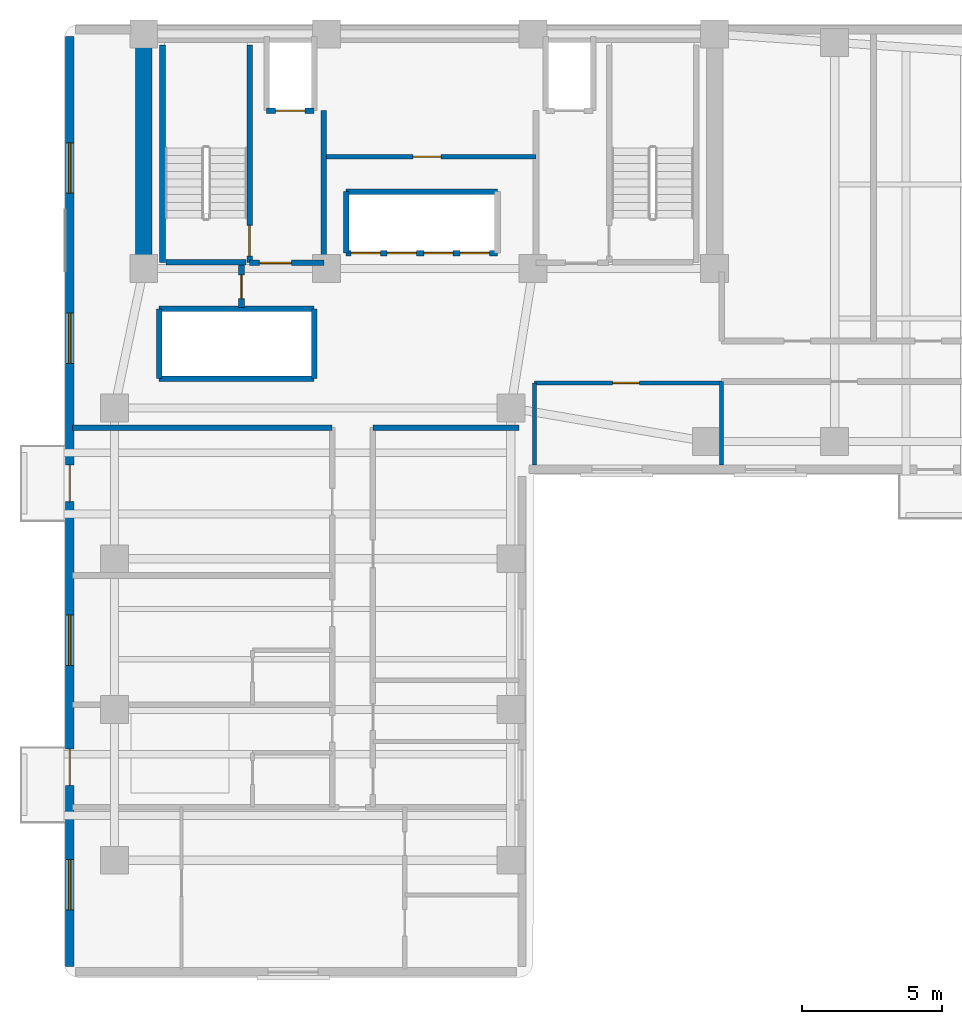
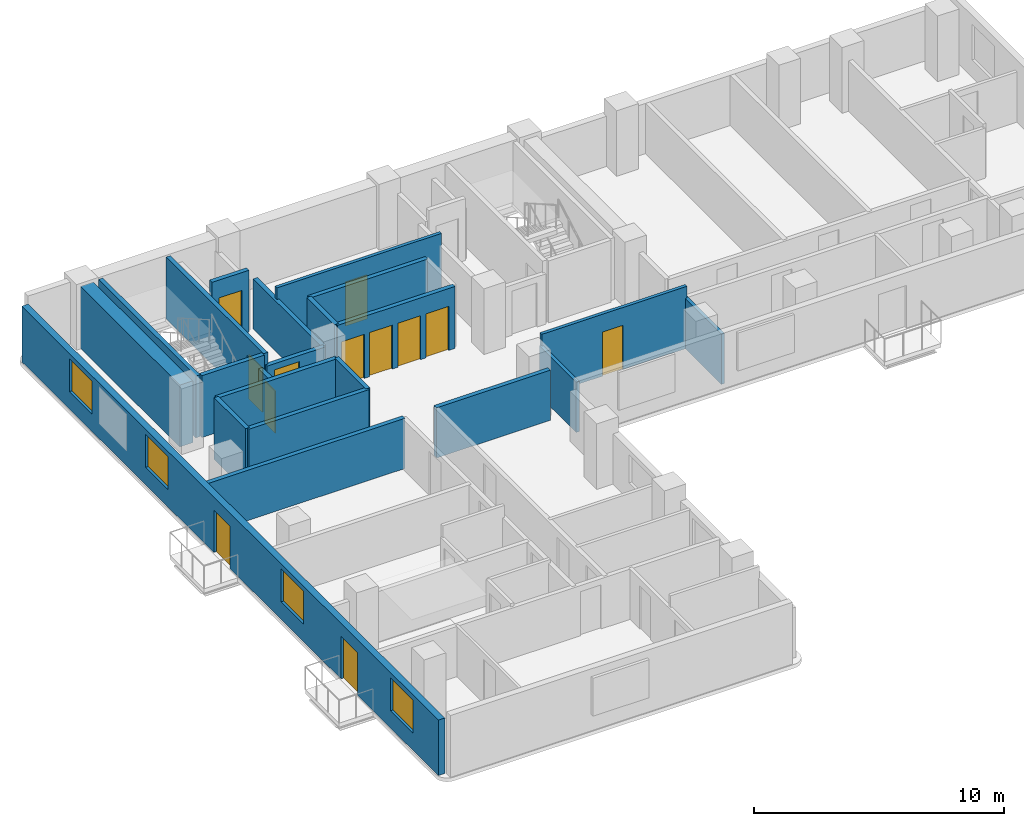
# One storey, part 3 of 7: 22 walls, 12 doors, 4 windows, 16 openings.
"""IFC4 building model written with IfcOpenShell, lengths in metres."""

from ifc_helpers import new_model, si_unit, direction, frame, frame_2d, origin, place, context, subcontext, project, spatial, rectangle, extrude, material, layer, layer_set, type_object, element, fill, save


model = new_model("IFC4")

# Units and contexts
model_context = context("Model", 3, precision=1e-05, world=origin(), true_north=direction((0.0, 1.0)))
body_context = subcontext(model_context, "Body", "Model", "MODEL_VIEW")
ifc_project = project(units=[si_unit("LENGTHUNIT", "METRE"), si_unit("AREAUNIT", "SQUARE_METRE"), si_unit("VOLUMEUNIT", "CUBIC_METRE"), si_unit("PLANEANGLEUNIT", "RADIAN"), si_unit("MASSUNIT", "GRAM", prefix="KILO")], contexts=[model_context])

# Site, building, storey
site_placement = place(None, origin())
site = spatial("IfcSite", under=ifc_project, at=site_placement, CompositionType="ELEMENT")
building_placement = place(site_placement, origin())
building = spatial("IfcBuilding", under=site, at=building_placement, Name="Kuzgunbayir Cultural Tower", CompositionType="ELEMENT")
storey_placement = place(building_placement, frame((0.0, 0.0, 136.199951171875)))
storey = spatial("IfcBuildingStorey", under=building, at=storey_placement, Name="L39", CompositionType="ELEMENT", Elevation=136.199951171875)

# Wall
ifc_material_1 = material(Name="Concrete C60/75", Category="concrete")
ifc_layer_1 = layer(ifc_material_1, 0.60009765625)
ifc_layer_set_1 = layer_set([ifc_layer_1], Name="Concrete C60/75")
wall_type_1 = type_object("IfcWallType", Name="WAL-CORE-600", PredefinedType="SHEAR", material=ifc_layer_set_1)
wall_1_placement = place(storey_placement, frame((6.449951171875, 33.800048828125, 0.0), z_axis=(0.0, 0.0, 1.0), x_axis=(0.0, 1.0, 0.0)))
element("IfcWall", 1, at=wall_1_placement, inside=storey, type_object=wall_type_1, Name="L39 T1 Core West Shear Wall", PredefinedType="SHEAR", context=body_context, shape_type="SweptSolid", body=[
    extrude(rectangle(XDim=7.949951171875, YDim=0.60009765625, at=frame_2d((3.97509765625, 0.0))), origin(), (0.0, 0.0, 1.0), 3.02001953125),
])

# Wall, openings, doors, windows
ifc_material_2 = material(Name="Anatolian Cream Limestone", Category="masonry")
ifc_layer_2 = layer(ifc_material_2, 0.300048828125)
ifc_layer_set_2 = layer_set([ifc_layer_2], Name="Anatolian Cream Limestone")
wall_type_2 = type_object("IfcWallType", Name="WAL-EXT-STONE-300", PredefinedType="STANDARD", material=ifc_layer_set_2)
wall_2_placement = place(storey_placement, frame((3.800048828125, 42.10009765625, 0.0), z_axis=(0.0, 0.0, 1.0), x_axis=(0.0, -1.0, 0.0)))
wall_2 = element("IfcWall", 2, at=wall_2_placement, inside=storey, type_object=wall_type_2, Name="L39 Wing A West Limestone Wall", PredefinedType="STANDARD", context=body_context, shape_type="SweptSolid", body=[
    extrude(rectangle(XDim=33.300048828125, YDim=0.300048828125, at=frame_2d((16.64990234375, 0.0))), origin(), (0.0, 0.0, 1.0), 2.7099609375),
])
opening_1_placement = place(wall_2_placement, frame((25.52001953125, 0.0, 0.0)))
opening_1 = element("IfcOpeningElement", 3, at=opening_1_placement, cuts=wall_2, Name="Opening BD-13", PredefinedType="OPENING", context=body_context, shape_type="SweptSolid", body=[
    extrude(rectangle(XDim=1.300048828125, YDim=2.080078125, at=frame_2d((0.64990234375, 1.0400390625))), frame((0.0, 0.16015625, 0.0), z_axis=(0.0, -1.0, 0.0), x_axis=(1.0, 0.0, 0.0)), (0.0, 0.0, 1.0), 0.320068359375),
])
opening_2_placement = place(wall_2_placement, frame((15.35009765625, 0.0, 0.0)))
opening_2 = element("IfcOpeningElement", 4, at=opening_2_placement, cuts=wall_2, Name="Opening BD-13", PredefinedType="OPENING", context=body_context, shape_type="SweptSolid", body=[
    extrude(rectangle(XDim=1.300048828125, YDim=2.080078125, at=frame_2d((0.64990234375, 1.0400390625))), frame((0.0, 0.16015625, 0.0), z_axis=(0.0, -1.0, 0.0), x_axis=(1.0, 0.0, 0.0)), (0.0, 0.0, 1.0), 0.320068359375),
])
opening_3_placement = place(wall_2_placement, frame((20.719970703125, 0.0, 0.85009765625)))
opening_3 = element("IfcOpeningElement", 5, at=opening_3_placement, cuts=wall_2, Name="Opening WH-18", PredefinedType="OPENING", context=body_context, shape_type="SweptSolid", body=[
    extrude(rectangle(XDim=1.800048828125, YDim=1.610107421875, at=frame_2d((0.89990234375, 0.80517578125))), frame((0.0, 0.16015625, 0.0), z_axis=(0.0, -1.0, 0.0), x_axis=(1.0, 0.0, 0.0)), (0.0, 0.0, 1.0), 0.320068359375),
])
opening_4_placement = place(wall_2_placement, frame((29.47998046875, 0.0, 0.85009765625)))
opening_4 = element("IfcOpeningElement", 6, at=opening_4_placement, cuts=wall_2, Name="Opening WH-18", PredefinedType="OPENING", context=body_context, shape_type="SweptSolid", body=[
    extrude(rectangle(XDim=1.800048828125, YDim=1.610107421875, at=frame_2d((0.89990234375, 0.80517578125))), frame((0.0, 0.16015625, 0.0), z_axis=(0.0, -1.0, 0.0), x_axis=(1.0, 0.0, 0.0)), (0.0, 0.0, 1.0), 0.320068359375),
])
opening_5_placement = place(wall_2_placement, frame((9.89990234375, 0.0, 0.85009765625)))
opening_5 = element("IfcOpeningElement", 7, at=opening_5_placement, cuts=wall_2, Name="Opening WH-18", PredefinedType="OPENING", context=body_context, shape_type="SweptSolid", body=[
    extrude(rectangle(XDim=1.800048828125, YDim=1.610107421875, at=frame_2d((0.89990234375, 0.80517578125))), frame((0.0, 0.16015625, 0.0), z_axis=(0.0, -1.0, 0.0), x_axis=(1.0, 0.0, 0.0)), (0.0, 0.0, 1.0), 0.320068359375),
])
opening_6_placement = place(wall_2_placement, frame((3.800048828125, 0.0, 0.85009765625)))
opening_6 = element("IfcOpeningElement", 8, at=opening_6_placement, cuts=wall_2, Name="Opening WH-18", PredefinedType="OPENING", context=body_context, shape_type="SweptSolid", body=[
    extrude(rectangle(XDim=1.800048828125, YDim=1.610107421875, at=frame_2d((0.89990234375, 0.80517578125))), frame((0.0, 0.16015625, 0.0), z_axis=(0.0, -1.0, 0.0), x_axis=(1.0, 0.0, 0.0)), (0.0, 0.0, 1.0), 0.320068359375),
])
ifc_material_3 = material(Name="Thermally Broken Glazed Aluminium", Category="aluminium")
door_type_1 = type_object("IfcDoorType", Name="DR-BALCONY-135", OperationType="SLIDING_TO_LEFT", PredefinedType="DOOR", material=ifc_material_3)
door_1_placement = place(opening_1_placement, origin())
door_1 = element("IfcDoor", 9, at=door_1_placement, inside=storey, type_object=door_type_1, Name="L39 West Balcony Sliding Door BAL-L39-WA1", OperationType="SLIDING_TO_LEFT", OverallHeight=2.080078125, OverallWidth=1.300048828125, PredefinedType="DOOR", context=body_context, shape_type="SweptSolid", body=[
    extrude(rectangle(XDim=1.300048828125, YDim=2.080078125, at=frame_2d((0.64990234375, 1.0400390625))), frame((0.0, 0.02490234375, 0.0), z_axis=(0.0, -1.0, 0.0), x_axis=(1.0, 0.0, 0.0)), (0.0, 0.0, 1.0), 0.050048828125),
])
fill(opening_1, door_1)
door_2_placement = place(opening_2_placement, origin())
door_2 = element("IfcDoor", 10, at=door_2_placement, inside=storey, type_object=door_type_1, Name="L39 West Balcony Sliding Door BAL-L39-WA3", OperationType="SLIDING_TO_LEFT", OverallHeight=2.080078125, OverallWidth=1.300048828125, PredefinedType="DOOR", context=body_context, shape_type="SweptSolid", body=[
    extrude(rectangle(XDim=1.300048828125, YDim=2.080078125, at=frame_2d((0.64990234375, 1.0400390625))), frame((0.0, 0.02490234375, 0.0), z_axis=(0.0, -1.0, 0.0), x_axis=(1.0, 0.0, 0.0)), (0.0, 0.0, 1.0), 0.050048828125),
])
fill(opening_2, door_2)
ifc_material_4 = material(Name="Solar-Control Triple Glazing", Category="glass")
window_type = type_object("IfcWindowType", Name="WIN-HOTEL-18", PartitioningType="SINGLE_PANEL", PredefinedType="WINDOW", material=ifc_material_4)
window_1_placement = place(opening_3_placement, origin())
window_1 = element("IfcWindow", 11, at=window_1_placement, inside=storey, type_object=window_type, Name="L39 WAW Facade Window 1", OverallHeight=1.610107421875, OverallWidth=1.800048828125, PartitioningType="SINGLE_PANEL", PredefinedType="WINDOW", context=body_context, shape_type="SweptSolid", body=[
    extrude(rectangle(XDim=1.800048828125, YDim=1.610107421875, at=frame_2d((0.89990234375, 0.80517578125))), frame((0.0, 0.030029296875, 0.0), z_axis=(0.0, -1.0, 0.0), x_axis=(1.0, 0.0, 0.0)), (0.0, 0.0, 1.0), 0.06005859375),
])
fill(opening_3, window_1)
window_2_placement = place(opening_4_placement, origin())
window_2 = element("IfcWindow", 12, at=window_2_placement, inside=storey, type_object=window_type, Name="L39 WAW Facade Window 2", OverallHeight=1.610107421875, OverallWidth=1.800048828125, PartitioningType="SINGLE_PANEL", PredefinedType="WINDOW", context=body_context, shape_type="SweptSolid", body=[
    extrude(rectangle(XDim=1.800048828125, YDim=1.610107421875, at=frame_2d((0.89990234375, 0.80517578125))), frame((0.0, 0.030029296875, 0.0), z_axis=(0.0, -1.0, 0.0), x_axis=(1.0, 0.0, 0.0)), (0.0, 0.0, 1.0), 0.06005859375),
])
fill(opening_4, window_2)
window_3_placement = place(opening_5_placement, origin())
window_3 = element("IfcWindow", 13, at=window_3_placement, inside=storey, type_object=window_type, Name="L39 WAW Facade Window 6", OverallHeight=1.610107421875, OverallWidth=1.800048828125, PartitioningType="SINGLE_PANEL", PredefinedType="WINDOW", context=body_context, shape_type="SweptSolid", body=[
    extrude(rectangle(XDim=1.800048828125, YDim=1.610107421875, at=frame_2d((0.89990234375, 0.80517578125))), frame((0.0, 0.030029296875, 0.0), z_axis=(0.0, -1.0, 0.0), x_axis=(1.0, 0.0, 0.0)), (0.0, 0.0, 1.0), 0.06005859375),
])
fill(opening_5, window_3)
window_4_placement = place(opening_6_placement, origin())
window_4 = element("IfcWindow", 14, at=window_4_placement, inside=storey, type_object=window_type, Name="L39 WAW Facade Window 7", OverallHeight=1.610107421875, OverallWidth=1.800048828125, PartitioningType="SINGLE_PANEL", PredefinedType="WINDOW", context=body_context, shape_type="SweptSolid", body=[
    extrude(rectangle(XDim=1.800048828125, YDim=1.610107421875, at=frame_2d((0.89990234375, 0.80517578125))), frame((0.0, 0.030029296875, 0.0), z_axis=(0.0, -1.0, 0.0), x_axis=(1.0, 0.0, 0.0)), (0.0, 0.0, 1.0), 0.06005859375),
])
fill(opening_6, window_4)

# Wall, opening, door
ifc_material_5 = material(Name="Acoustic Double-Stud Drywall", Category="gypsum")
ifc_layer_3 = layer(ifc_material_5, 0.14990234375)
ifc_layer_set_3 = layer_set([ifc_layer_3], Name="Acoustic Double-Stud Drywall")
wall_type_3 = type_object("IfcWallType", Name="WAL-PART-ACOUSTIC-150", PredefinedType="PARTITIONING", material=ifc_layer_set_3)
wall_3_placement = place(storey_placement, frame((12.89990234375, 37.800048828125, 0.0), z_axis=(0.0, 0.0, 1.0), x_axis=(1.0, 0.0, 0.0)))
wall_3 = element("IfcWall", 15, at=wall_3_placement, inside=storey, type_object=wall_type_3, Name="L39 Repurposed Core Suite Wall", PredefinedType="PARTITIONING", context=body_context, shape_type="SweptSolid", body=[
    extrude(rectangle(XDim=7.60009765625, YDim=0.14990234375, at=frame_2d((3.800048828125, 0.0))), origin(), (0.0, 0.0, 1.0), 3.02001953125),
])
opening_7_placement = place(wall_3_placement, frame((3.199951171875, 0.0, 0.0)))
opening_7 = element("IfcOpeningElement", 16, at=opening_7_placement, cuts=wall_3, Name="Opening DC-100", PredefinedType="OPENING", context=body_context, shape_type="SweptSolid", body=[
    extrude(rectangle(XDim=1.0, YDim=2.14990234375, at=frame_2d((0.5, 1.074951171875))), frame((0.0, 0.0849609375, 0.0), z_axis=(0.0, -1.0, 0.0), x_axis=(1.0, 0.0, 0.0)), (0.0, 0.0, 1.0), 0.169921875),
])
ifc_material_6 = material(Name="Fire-Rated Veneered Oak Leaf", Category="wood")
door_type_2 = type_object("IfcDoorType", Name="DR-CORE-100", OperationType="NOTDEFINED", PredefinedType="DOOR", material=ifc_material_6)
door_3_placement = place(opening_7_placement, origin())
door_3 = element("IfcDoor", 17, at=door_3_placement, inside=storey, type_object=door_type_2, Name="L39 Core Reading Salon Door", OperationType="SINGLE_SWING_RIGHT", OverallHeight=2.14990234375, OverallWidth=1.0, PredefinedType="DOOR", context=body_context, shape_type="SweptSolid", body=[
    extrude(rectangle(XDim=1.0, YDim=2.14990234375, at=frame_2d((0.5, 1.074951171875))), frame((0.0, 0.02490234375, 0.0), z_axis=(0.0, -1.0, 0.0), x_axis=(1.0, 0.0, 0.0)), (0.0, 0.0, 1.0), 0.050048828125),
])
fill(opening_7, door_3)

wall_4_placement = place(storey_placement, frame((20.449951171875, 29.699951171875, 0.0), z_axis=(0.0, 0.0, 1.0), x_axis=(1.0, 0.0, 0.0)))
wall_4 = element("IfcWall", 18, at=wall_4_placement, inside=storey, type_object=wall_type_3, Name="L39 Waist Alcove North Wall", PredefinedType="PARTITIONING", context=body_context, shape_type="SweptSolid", body=[
    extrude(rectangle(XDim=6.699951171875, YDim=0.14990234375, at=frame_2d((3.35009765625, 0.0))), origin(), (0.0, 0.0, 1.0), 3.02001953125),
])
opening_8_placement = place(wall_4_placement, frame((2.800048828125, 0.0, 0.0)))
opening_8 = element("IfcOpeningElement", 19, at=opening_8_placement, cuts=wall_4, Name="Opening DI-90", PredefinedType="OPENING", context=body_context, shape_type="SweptSolid", body=[
    extrude(rectangle(XDim=0.949951171875, YDim=2.14990234375, at=frame_2d((0.47509765625, 1.074951171875))), frame((0.0, 0.0849609375, 0.0), z_axis=(0.0, -1.0, 0.0), x_axis=(1.0, 0.0, 0.0)), (0.0, 0.0, 1.0), 0.169921875),
])
ifc_material_7 = material(Name="Veneered Oak Single Leaf", Category="wood")
door_type_3 = type_object("IfcDoorType", Name="DR-INT-90", OperationType="NOTDEFINED", PredefinedType="DOOR", material=ifc_material_7)
door_4_placement = place(opening_8_placement, origin())
door_4 = element("IfcDoor", 20, at=door_4_placement, inside=storey, type_object=door_type_3, Name="L39 Waist Alcove Door", OperationType="SINGLE_SWING_LEFT", OverallHeight=2.14990234375, OverallWidth=0.949951171875, PredefinedType="DOOR", context=body_context, shape_type="SweptSolid", body=[
    extrude(rectangle(XDim=0.949951171875, YDim=2.14990234375, at=frame_2d((0.47509765625, 1.074951171875))), frame((0.0, 0.02490234375, 0.0), z_axis=(0.0, -1.0, 0.0), x_axis=(1.0, 0.0, 0.0)), (0.0, 0.0, 1.0), 0.050048828125),
])
fill(opening_8, door_4)

# Walls
wall_5_placement = place(storey_placement, frame((20.449951171875, 26.75, 0.0), z_axis=(0.0, 0.0, 1.0), x_axis=(0.0, 1.0, 0.0)))
element("IfcWall", 21, at=wall_5_placement, inside=storey, type_object=wall_type_3, Name="L39 Waist Alcove West Wall", PredefinedType="PARTITIONING", context=body_context, shape_type="SweptSolid", body=[
    extrude(rectangle(XDim=2.949951171875, YDim=0.14990234375, at=frame_2d((1.47509765625, 0.0))), origin(), (0.0, 0.0, 1.0), 2.449951171875),
])
wall_6_placement = place(storey_placement, frame((27.14990234375, 26.75, 0.0), z_axis=(0.0, 0.0, 1.0), x_axis=(0.0, 1.0, 0.0)))
element("IfcWall", 22, at=wall_6_placement, inside=storey, type_object=wall_type_3, Name="L39 Waist Alcove East Wall", PredefinedType="PARTITIONING", context=body_context, shape_type="SweptSolid", body=[
    extrude(rectangle(XDim=3.0, YDim=0.14990234375, at=frame_2d((1.5, 0.0))), origin(), (0.0, 0.0, 1.0), 2.449951171875),
])
ifc_material_8 = material(Name="Aerated Concrete Blockwork", Category="masonry")
ifc_layer_4 = layer(ifc_material_8, 0.199951171875)
ifc_layer_set_4 = layer_set([ifc_layer_4], Name="Aerated Concrete Blockwork")
wall_type_4 = type_object("IfcWallType", Name="WAL-PART-FIRE-200", PredefinedType="PARTITIONING", material=ifc_layer_set_4)
wall_7_placement = place(storey_placement, frame((12.89990234375, 34.0, 0.0), z_axis=(0.0, 0.0, 1.0), x_axis=(0.0, 1.0, 0.0)))
element("IfcWall", 23, at=wall_7_placement, inside=storey, type_object=wall_type_4, Name="L39 FFL-1 Lobby East Fire Wall", PredefinedType="PARTITIONING", context=body_context, shape_type="SweptSolid", body=[
    extrude(rectangle(XDim=5.449951171875, YDim=0.199951171875, at=frame_2d((2.72509765625, 0.0))), origin(), (0.0, 0.0, 1.0), 2.449951171875),
])

# Wall, opening, door
wall_8_placement = place(storey_placement, frame((10.239990234375, 34.0, 0.0), z_axis=(0.0, 0.0, 1.0), x_axis=(1.0, 0.0, 0.0)))
wall_8 = element("IfcWall", 24, at=wall_8_placement, inside=storey, type_object=wall_type_4, Name="L39 FFL-1 Lobby South Fire Wall", PredefinedType="PARTITIONING", context=body_context, shape_type="SweptSolid", body=[
    extrude(rectangle(XDim=2.659912109375, YDim=0.199951171875, at=frame_2d((1.330078125, 0.0))), origin(), (0.0, 0.0, 1.0), 2.449951171875),
])
opening_9_placement = place(wall_8_placement, frame((0.35009765625, 0.0, 0.0)))
opening_9 = element("IfcOpeningElement", 25, at=opening_9_placement, cuts=wall_8, Name="Opening DR-FFL-90", PredefinedType="OPENING", context=body_context, shape_type="SweptSolid", body=[
    extrude(rectangle(XDim=1.14990234375, YDim=2.14990234375, at=frame_2d((0.574951171875, 1.074951171875))), frame((0.0, 0.10986328125, 0.0), z_axis=(0.0, -1.0, 0.0), x_axis=(1.0, 0.0, 0.0)), (0.0, 0.0, 1.0), 0.219970703125),
])
ifc_material_9 = material(Name="Steel S355J2", Category="steel")
door_type_4 = type_object("IfcDoorType", Name="DR-FFL-90", OperationType="NOTDEFINED", PredefinedType="DOOR", material=ifc_material_9)
door_5_placement = place(opening_9_placement, origin())
door_5 = element("IfcDoor", 26, at=door_5_placement, inside=storey, type_object=door_type_4, Name="L39 Firefighting Lobby 1 Door", OperationType="SINGLE_SWING_LEFT", OverallHeight=2.14990234375, OverallWidth=1.14990234375, PredefinedType="DOOR", context=body_context, shape_type="SweptSolid", body=[
    extrude(rectangle(XDim=1.14990234375, YDim=2.14990234375, at=frame_2d((0.574951171875, 1.074951171875))), frame((0.0, 0.02490234375, 0.0), z_axis=(0.0, -1.0, 0.0), x_axis=(1.0, 0.0, 0.0)), (0.0, 0.0, 1.0), 0.050048828125),
])
fill(opening_9, door_5)

wall_9_placement = place(storey_placement, frame((9.949951171875, 32.39990234375, 0.0), z_axis=(0.0, 0.0, 1.0), x_axis=(0.0, 1.0, 0.0)))
wall_9 = element("IfcWall", 27, at=wall_9_placement, inside=storey, type_object=wall_type_4, Name="L39 West Core Service Closet Wall", PredefinedType="PARTITIONING", context=body_context, shape_type="SweptSolid", body=[
    extrude(rectangle(XDim=1.52001953125, YDim=0.199951171875, at=frame_2d((0.760009765625, 0.0))), origin(), (0.0, 0.0, 1.0), 2.449951171875),
])
opening_10_placement = place(wall_9_placement, frame((0.320068359375, 0.0, 0.0)))
opening_10 = element("IfcOpeningElement", 28, at=opening_10_placement, cuts=wall_9, Name="Opening DR-RSR-60", PredefinedType="OPENING", context=body_context, shape_type="SweptSolid", body=[
    extrude(rectangle(XDim=0.85009765625, YDim=2.050048828125, at=frame_2d((0.425048828125, 1.02490234375))), frame((0.0, 0.10986328125, 0.0), z_axis=(0.0, -1.0, 0.0), x_axis=(1.0, 0.0, 0.0)), (0.0, 0.0, 1.0), 0.219970703125),
])
ifc_material_10 = material(Name="Steel Access Leaf", Category="steel")
door_type_5 = type_object("IfcDoorType", Name="DR-RISER-60", OperationType="NOTDEFINED", PredefinedType="DOOR", material=ifc_material_10)
door_6_placement = place(opening_10_placement, origin())
door_6 = element("IfcDoor", 29, at=door_6_placement, inside=storey, type_object=door_type_5, Name="L39 Cleaner Utility Store Door", OperationType="SINGLE_SWING_LEFT", OverallHeight=2.050048828125, OverallWidth=0.85009765625, PredefinedType="DOOR", context=body_context, shape_type="SweptSolid", body=[
    extrude(rectangle(XDim=0.85009765625, YDim=2.050048828125, at=frame_2d((0.425048828125, 1.02490234375))), frame((0.0, 0.02490234375, 0.0), z_axis=(0.0, -1.0, 0.0), x_axis=(1.0, 0.0, 0.0)), (0.0, 0.0, 1.0), 0.050048828125),
])
fill(opening_10, door_6)

# Walls
wall_10_placement = place(storey_placement, frame((3.89990234375, 28.10009765625, 0.0), z_axis=(0.0, 0.0, 1.0), x_axis=(1.0, 0.0, 0.0)))
element("IfcWall", 30, at=wall_10_placement, inside=storey, type_object=wall_type_4, Name="L39 North West Partition", PredefinedType="PARTITIONING", context=body_context, shape_type="SweptSolid", body=[
    extrude(rectangle(XDim=9.300048828125, YDim=0.199951171875, at=frame_2d((4.64990234375, 0.0))), origin(), (0.0, 0.0, 1.0), 2.449951171875),
])
wall_11_placement = place(storey_placement, frame((14.659912109375, 28.10009765625, 0.0), z_axis=(0.0, 0.0, 1.0), x_axis=(1.0, 0.0, 0.0)))
element("IfcWall", 31, at=wall_11_placement, inside=storey, type_object=wall_type_4, Name="L39 North East Partition", PredefinedType="PARTITIONING", context=body_context, shape_type="SweptSolid", body=[
    extrude(rectangle(XDim=5.239990234375, YDim=0.199951171875, at=frame_2d((2.6201171875, 0.0))), origin(), (0.0, 0.0, 1.0), 2.449951171875),
])
ifc_material_11 = material(Name="Concrete C40/50", Category="concrete")
ifc_layer_5 = layer(ifc_material_11, 0.199951171875)
ifc_layer_set_5 = layer_set([ifc_layer_5], Name="Concrete C40/50")
wall_type_5 = type_object("IfcWallType", Name="WAL-SHAFT-200", PredefinedType="MOVABLE", material=ifc_layer_set_5)
for number, where, z_axis, x_axis, name in (
    (32, (7.0, 29.85009765625, 0.0), (0.0, 0.0, 1.0), (1.0, 0.0, 0.0), "L39 High-Rise Lift Shaft South Wall"),
    (33, (7.0, 32.35009765625, 0.0), (0.0, 0.0, 1.0), (1.0, 0.0, 0.0), "L39 High-Rise Lift Shaft North Wall"),
):
    element("IfcWall", number, at=place(storey_placement, frame(where, z_axis=z_axis, x_axis=x_axis)), inside=storey, type_object=wall_type_5, Name=name, PredefinedType="MOVABLE", context=body_context, shape_type="SweptSolid", body=[
        extrude(rectangle(XDim=5.550048828125, YDim=0.199951171875, at=frame_2d((2.77490234375, 0.0))), origin(), (0.0, 0.0, 1.0), 3.02001953125),
    ])
for number, where, z_axis, x_axis, name in (
    (34, (7.0, 29.85009765625, 0.0), (0.0, 0.0, 1.0), (0.0, 1.0, 0.0), "L39 High-Rise Lift Shaft West Wall"),
    (35, (12.550048828125, 29.85009765625, 0.0), (0.0, 0.0, 1.0), (0.0, 1.0, 0.0), "L39 High-Rise Lift Shaft East Wall"),
):
    element("IfcWall", number, at=place(storey_placement, frame(where, z_axis=z_axis, x_axis=x_axis)), inside=storey, type_object=wall_type_5, Name=name, PredefinedType="MOVABLE", context=body_context, shape_type="SweptSolid", body=[
        extrude(rectangle(XDim=2.5, YDim=0.199951171875, at=frame_2d((1.25, 0.0))), origin(), (0.0, 0.0, 1.0), 3.02001953125),
    ])

# Wall, opening, door
wall_12_placement = place(storey_placement, frame((10.85009765625, 39.449951171875, 0.0), z_axis=(0.0, 0.0, 1.0), x_axis=(1.0, 0.0, 0.0)))
wall_12 = element("IfcWall", 36, at=wall_12_placement, inside=storey, type_object=wall_type_5, Name="L39 FFL-1 Lift Front Wall", PredefinedType="MOVABLE", context=body_context, shape_type="SweptSolid", body=[
    extrude(rectangle(XDim=1.699951171875, YDim=0.199951171875, at=frame_2d((0.85009765625, 0.0))), origin(), (0.0, 0.0, 1.0), 3.02001953125),
])
opening_11_placement = place(wall_12_placement, frame((0.320068359375, 0.0, 0.0)))
opening_11 = element("IfcOpeningElement", 37, at=opening_11_placement, cuts=wall_12, Name="Opening LD", PredefinedType="OPENING", context=body_context, shape_type="SweptSolid", body=[
    extrude(rectangle(XDim=1.050048828125, YDim=2.14990234375, at=frame_2d((0.52490234375, 1.074951171875))), frame((0.0, 0.10986328125, 0.0), z_axis=(0.0, -1.0, 0.0), x_axis=(1.0, 0.0, 0.0)), (0.0, 0.0, 1.0), 0.219970703125),
])
ifc_material_12 = material(Name="Brushed Stainless Steel", Category="steel")
door_type_6 = type_object("IfcDoorType", Name="DR-LIFT-LANDING", OperationType="SLIDING_TO_LEFT", PredefinedType="DOOR", material=ifc_material_12)
door_7_placement = place(opening_11_placement, origin())
door_7 = element("IfcDoor", 38, at=door_7_placement, inside=storey, type_object=door_type_6, Name="L39 Lift FFL-1 Landing Door", OperationType="SLIDING_TO_LEFT", OverallHeight=2.14990234375, OverallWidth=1.050048828125, PredefinedType="DOOR", context=body_context, shape_type="SweptSolid", body=[
    extrude(rectangle(XDim=1.050048828125, YDim=2.14990234375, at=frame_2d((0.52490234375, 1.074951171875))), frame((0.0, 0.02490234375, 0.0), z_axis=(0.0, -1.0, 0.0), x_axis=(1.0, 0.0, 0.0)), (0.0, 0.0, 1.0), 0.050048828125),
])
fill(opening_11, door_7)

# Wall, openings, doors
wall_13_placement = place(storey_placement, frame((13.699951171875, 34.35009765625, 0.0), z_axis=(0.0, 0.0, 1.0), x_axis=(1.0, 0.0, 0.0)))
wall_13 = element("IfcWall", 39, at=wall_13_placement, inside=storey, type_object=wall_type_5, Name="L39 Mid-Rise Lift Front Wall", PredefinedType="MOVABLE", context=body_context, shape_type="SweptSolid", body=[
    extrude(rectangle(XDim=5.420166015625, YDim=0.199951171875, at=frame_2d((2.7099609375, 0.0))), origin(), (0.0, 0.0, 1.0), 3.02001953125),
])
opening_12_placement = place(wall_13_placement, frame((0.179931640625, 0.0, 0.0)))
opening_12 = element("IfcOpeningElement", 40, at=opening_12_placement, cuts=wall_13, Name="Opening LD", PredefinedType="OPENING", context=body_context, shape_type="SweptSolid", body=[
    extrude(rectangle(XDim=1.050048828125, YDim=2.14990234375, at=frame_2d((0.52490234375, 1.074951171875))), frame((0.0, 0.10986328125, 0.0), z_axis=(0.0, -1.0, 0.0), x_axis=(1.0, 0.0, 0.0)), (0.0, 0.0, 1.0), 0.219970703125),
])
opening_13_placement = place(wall_13_placement, frame((1.469970703125, 0.0, 0.0)))
opening_13 = element("IfcOpeningElement", 41, at=opening_13_placement, cuts=wall_13, Name="Opening LD", PredefinedType="OPENING", context=body_context, shape_type="SweptSolid", body=[
    extrude(rectangle(XDim=1.050048828125, YDim=2.14990234375, at=frame_2d((0.52490234375, 1.074951171875))), frame((0.0, 0.10986328125, 0.0), z_axis=(0.0, -1.0, 0.0), x_axis=(1.0, 0.0, 0.0)), (0.0, 0.0, 1.0), 0.219970703125),
])
opening_14_placement = place(wall_13_placement, frame((2.780029296875, 0.0, 0.0)))
opening_14 = element("IfcOpeningElement", 42, at=opening_14_placement, cuts=wall_13, Name="Opening LD", PredefinedType="OPENING", context=body_context, shape_type="SweptSolid", body=[
    extrude(rectangle(XDim=1.050048828125, YDim=2.14990234375, at=frame_2d((0.52490234375, 1.074951171875))), frame((0.0, 0.10986328125, 0.0), z_axis=(0.0, -1.0, 0.0), x_axis=(1.0, 0.0, 0.0)), (0.0, 0.0, 1.0), 0.219970703125),
])
opening_15_placement = place(wall_13_placement, frame((4.080078125, 0.0, 0.0)))
opening_15 = element("IfcOpeningElement", 43, at=opening_15_placement, cuts=wall_13, Name="Opening LD", PredefinedType="OPENING", context=body_context, shape_type="SweptSolid", body=[
    extrude(rectangle(XDim=1.050048828125, YDim=2.14990234375, at=frame_2d((0.52490234375, 1.074951171875))), frame((0.0, 0.10986328125, 0.0), z_axis=(0.0, -1.0, 0.0), x_axis=(1.0, 0.0, 0.0)), (0.0, 0.0, 1.0), 0.219970703125),
])
door_8_placement = place(opening_12_placement, origin())
door_8 = element("IfcDoor", 44, at=door_8_placement, inside=storey, type_object=door_type_6, Name="L39 Lift PM-1 Landing Door", OperationType="SLIDING_TO_LEFT", OverallHeight=2.14990234375, OverallWidth=1.050048828125, PredefinedType="DOOR", context=body_context, shape_type="SweptSolid", body=[
    extrude(rectangle(XDim=1.050048828125, YDim=2.14990234375, at=frame_2d((0.52490234375, 1.074951171875))), frame((0.0, 0.02490234375, 0.0), z_axis=(0.0, -1.0, 0.0), x_axis=(1.0, 0.0, 0.0)), (0.0, 0.0, 1.0), 0.050048828125),
])
fill(opening_12, door_8)
door_9_placement = place(opening_13_placement, origin())
door_9 = element("IfcDoor", 45, at=door_9_placement, inside=storey, type_object=door_type_6, Name="L39 Lift PM-2 Landing Door", OperationType="SLIDING_TO_LEFT", OverallHeight=2.14990234375, OverallWidth=1.050048828125, PredefinedType="DOOR", context=body_context, shape_type="SweptSolid", body=[
    extrude(rectangle(XDim=1.050048828125, YDim=2.14990234375, at=frame_2d((0.52490234375, 1.074951171875))), frame((0.0, 0.02490234375, 0.0), z_axis=(0.0, -1.0, 0.0), x_axis=(1.0, 0.0, 0.0)), (0.0, 0.0, 1.0), 0.050048828125),
])
fill(opening_13, door_9)
door_10_placement = place(opening_14_placement, origin())
door_10 = element("IfcDoor", 46, at=door_10_placement, inside=storey, type_object=door_type_6, Name="L39 Lift PM-3 Landing Door", OperationType="SLIDING_TO_LEFT", OverallHeight=2.14990234375, OverallWidth=1.050048828125, PredefinedType="DOOR", context=body_context, shape_type="SweptSolid", body=[
    extrude(rectangle(XDim=1.050048828125, YDim=2.14990234375, at=frame_2d((0.52490234375, 1.074951171875))), frame((0.0, 0.02490234375, 0.0), z_axis=(0.0, -1.0, 0.0), x_axis=(1.0, 0.0, 0.0)), (0.0, 0.0, 1.0), 0.050048828125),
])
fill(opening_14, door_10)
door_11_placement = place(opening_15_placement, origin())
door_11 = element("IfcDoor", 47, at=door_11_placement, inside=storey, type_object=door_type_6, Name="L39 Lift PM-4 Landing Door", OperationType="SLIDING_TO_LEFT", OverallHeight=2.14990234375, OverallWidth=1.050048828125, PredefinedType="DOOR", context=body_context, shape_type="SweptSolid", body=[
    extrude(rectangle(XDim=1.050048828125, YDim=2.14990234375, at=frame_2d((0.52490234375, 1.074951171875))), frame((0.0, 0.02490234375, 0.0), z_axis=(0.0, -1.0, 0.0), x_axis=(1.0, 0.0, 0.0)), (0.0, 0.0, 1.0), 0.050048828125),
])
fill(opening_15, door_11)

# Walls
wall_14_placement = place(storey_placement, frame((13.699951171875, 36.550048828125, 0.0), z_axis=(0.0, 0.0, 1.0), x_axis=(1.0, 0.0, 0.0)))
element("IfcWall", 48, at=wall_14_placement, inside=storey, type_object=wall_type_5, Name="L39 Mid-Rise Lift Shaft North Wall", PredefinedType="MOVABLE", context=body_context, shape_type="SweptSolid", body=[
    extrude(rectangle(XDim=5.420166015625, YDim=0.199951171875, at=frame_2d((2.7099609375, 0.0))), origin(), (0.0, 0.0, 1.0), 3.02001953125),
])
wall_15_placement = place(storey_placement, frame((13.699951171875, 34.35009765625, 0.0), z_axis=(0.0, 0.0, 1.0), x_axis=(0.0, 1.0, 0.0)))
element("IfcWall", 49, at=wall_15_placement, inside=storey, type_object=wall_type_5, Name="L39 Mid-Rise Lift Shaft West Wall", PredefinedType="MOVABLE", context=body_context, shape_type="SweptSolid", body=[
    extrude(rectangle(XDim=2.199951171875, YDim=0.199951171875, at=frame_2d((1.10009765625, 0.0))), origin(), (0.0, 0.0, 1.0), 3.02001953125),
])
ifc_layer_6 = layer(ifc_material_11, 0.199951171875)
ifc_layer_set_6 = layer_set([ifc_layer_6], Name="Concrete C40/50")
wall_type_6 = type_object("IfcWallType", Name="WAL-STAIR-RC-200", PredefinedType="SHEAR", material=ifc_layer_set_6)
wall_16_placement = place(storey_placement, frame((7.1201171875, 34.02001953125, 0.0), z_axis=(0.0, 0.0, 1.0), x_axis=(0.0, 1.0, 0.0)))
element("IfcWall", 50, at=wall_16_placement, inside=storey, type_object=wall_type_6, Name="L39 Stair ST-1 West Structural Wall", PredefinedType="SHEAR", context=body_context, shape_type="SweptSolid", body=[
    extrude(rectangle(XDim=7.780029296875, YDim=0.199951171875, at=frame_2d((3.89013671875, 0.0))), origin(), (0.0, 0.0, 1.0), 3.02001953125),
])

# Wall, opening, door
wall_17_placement = place(storey_placement, frame((10.239990234375, 34.02001953125, 0.0), z_axis=(0.0, 0.0, 1.0), x_axis=(0.0, 1.0, 0.0)))
wall_17 = element("IfcWall", 51, at=wall_17_placement, inside=storey, type_object=wall_type_6, Name="L39 Stair ST-1 East Structural Wall", PredefinedType="SHEAR", context=body_context, shape_type="SweptSolid", body=[
    extrude(rectangle(XDim=7.780029296875, YDim=0.199951171875, at=frame_2d((3.89013671875, 0.0))), origin(), (0.0, 0.0, 1.0), 3.02001953125),
])
opening_16_placement = place(wall_17_placement, frame((0.219970703125, 0.0, 0.0)))
opening_16 = element("IfcOpeningElement", 52, at=opening_16_placement, cuts=wall_17, Name="Opening DR-STAIR-90", PredefinedType="OPENING", context=body_context, shape_type="SweptSolid", body=[
    extrude(rectangle(XDim=1.10009765625, YDim=2.14990234375, at=frame_2d((0.550048828125, 1.074951171875))), frame((0.0, 0.10986328125, 0.0), z_axis=(0.0, -1.0, 0.0), x_axis=(1.0, 0.0, 0.0)), (0.0, 0.0, 1.0), 0.219970703125),
])
door_type_7 = type_object("IfcDoorType", Name="DR-STAIR-90", OperationType="NOTDEFINED", PredefinedType="DOOR", material=ifc_material_9)
door_12_placement = place(opening_16_placement, origin())
door_12 = element("IfcDoor", 53, at=door_12_placement, inside=storey, type_object=door_type_7, Name="L39 Stair ST-1 Fire Door", OperationType="SINGLE_SWING_LEFT", OverallHeight=2.14990234375, OverallWidth=1.10009765625, PredefinedType="DOOR", context=body_context, shape_type="SweptSolid", body=[
    extrude(rectangle(XDim=1.10009765625, YDim=2.14990234375, at=frame_2d((0.550048828125, 1.074951171875))), frame((0.0, 0.02490234375, 0.0), z_axis=(0.0, -1.0, 0.0), x_axis=(1.0, 0.0, 0.0)), (0.0, 0.0, 1.0), 0.050048828125),
])
fill(opening_16, door_12)

# Wall
wall_18_placement = place(storey_placement, frame((7.239990234375, 34.02001953125, 0.0), z_axis=(0.0, 0.0, 1.0), x_axis=(1.0, 0.0, 0.0)))
element("IfcWall", 54, at=wall_18_placement, inside=storey, type_object=wall_type_6, Name="L39 Stair ST-1 South Structural Wall", PredefinedType="SHEAR", context=body_context, shape_type="SweptSolid", body=[
    extrude(rectangle(XDim=2.880126953125, YDim=0.199951171875, at=frame_2d((1.43994140625, 0.0))), origin(), (0.0, 0.0, 1.0), 3.02001953125),
])

save(model, "model.ifc")
